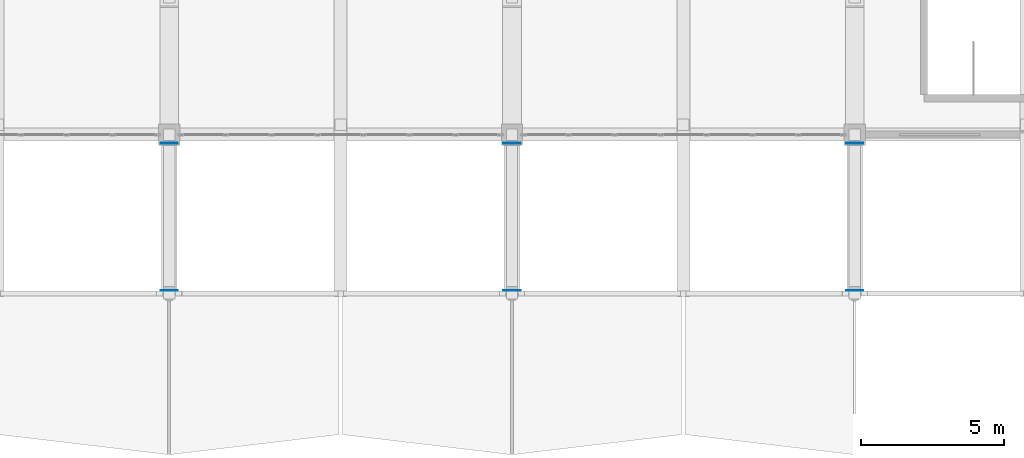
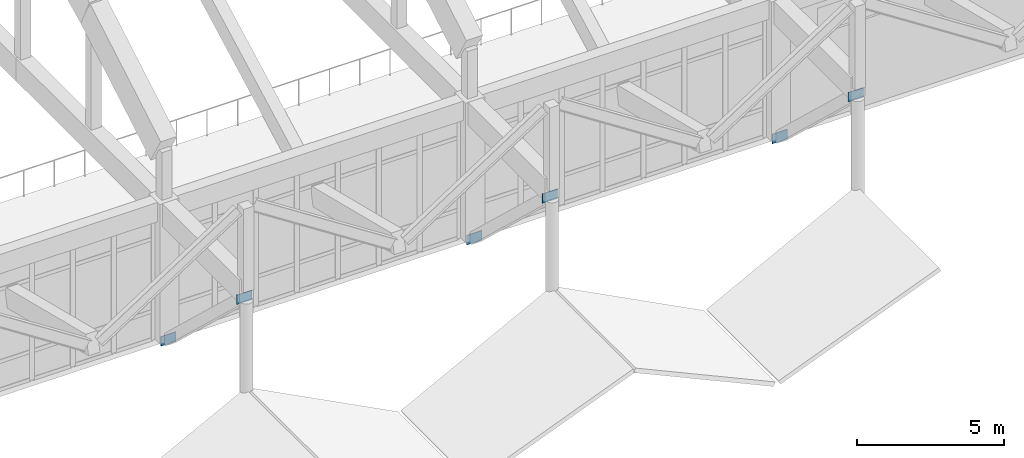
# One storey, part 211 of 236: 6 plates.
"""IFC4 building model written with IfcOpenShell, lengths in metres."""

from ifc_helpers import new_model, si_unit, direction, frame, origin, origin_2d, place, context, subcontext, project, spatial, rectangle, extrude, material, layer, layer_set, type_object, element, save


model = new_model("IFC4")

# Units and contexts
model_context = context("Model", 3, precision=1e-05, world=origin(), true_north=direction((0.0, 1.0)))
body_context = subcontext(model_context, "Body", "Model", "MODEL_VIEW")
ifc_project = project(units=[si_unit("LENGTHUNIT", "METRE"), si_unit("AREAUNIT", "SQUARE_METRE"), si_unit("VOLUMEUNIT", "CUBIC_METRE"), si_unit("PLANEANGLEUNIT", "RADIAN"), si_unit("MASSUNIT", "GRAM", prefix="KILO")], contexts=[model_context])

# Site, building, storey
site_placement = place(None, origin())
site = spatial("IfcSite", under=ifc_project, at=site_placement, CompositionType="ELEMENT")
building_placement = place(site_placement, origin())
building = spatial("IfcBuilding", under=site, at=building_placement, Name="Pandanus Reach Market Hall", CompositionType="ELEMENT")
storey_placement = place(building_placement, frame((0.0, 0.0, 5.39990234375)))
storey = spatial("IfcBuildingStorey", under=building, at=storey_placement, Name="L01", CompositionType="ELEMENT", Elevation=5.39990234375)

# Plates
ifc_material = material(Name="Steel Grade 350 (350 MPa)", Category="steel")
ifc_layer = layer(ifc_material, 0.02392578125, Name="GS-PL24")
ifc_layer_set = layer_set([ifc_layer], Name="Steel Grade 350 (350 MPa)")
plate_type = type_object("IfcPlateType", Name="GS-PL24", PredefinedType="SHEET", material=ifc_layer_set)
for number, where, z_axis, x_axis, name in (
    (1, (96.0, 28.5, -0.14990234375), (0.0, 0.0, 1.0), (1.0, 0.0, 0.0), "Arcade splayed strut anchorage plate GS-PL24 5SA"),
    (2, (96.0, 23.35009765625, 4.7001953125), (0.0, 0.0, 1.0), (1.0, 0.0, 0.0), "Arcade splayed strut anchorage plate GS-PL24 5SB"),
    (3, (108.0, 28.5, -0.14990234375), (0.0, 0.0, 1.0), (1.0, 0.0, 0.0), "Arcade splayed strut anchorage plate GS-PL24 6SA"),
    (4, (108.0, 23.35009765625, 4.7001953125), (0.0, 0.0, 1.0), (1.0, 0.0, 0.0), "Arcade splayed strut anchorage plate GS-PL24 6SB"),
    (5, (120.0, 28.5, -0.14990234375), (0.0, 0.0, 1.0), (1.0, 0.0, 0.0), "Arcade splayed strut anchorage plate GS-PL24 7SA"),
    (6, (120.0, 23.35009765625, 4.7001953125), (0.0, 0.0, 1.0), (1.0, 0.0, 0.0), "Arcade splayed strut anchorage plate GS-PL24 7SB"),
):
    element("IfcPlate", number, at=place(storey_placement, frame(where, z_axis=z_axis, x_axis=x_axis)), inside=storey, type_object=plate_type, Name=name, PredefinedType="SHEET", context=body_context, shape_type="SweptSolid", body=[
        extrude(rectangle(XDim=0.60009765625, YDim=0.02392578125, at=origin_2d()), origin(), (0.0, 0.0, 1.0), 0.39990234375),
    ])

save(model, "model.ifc")
